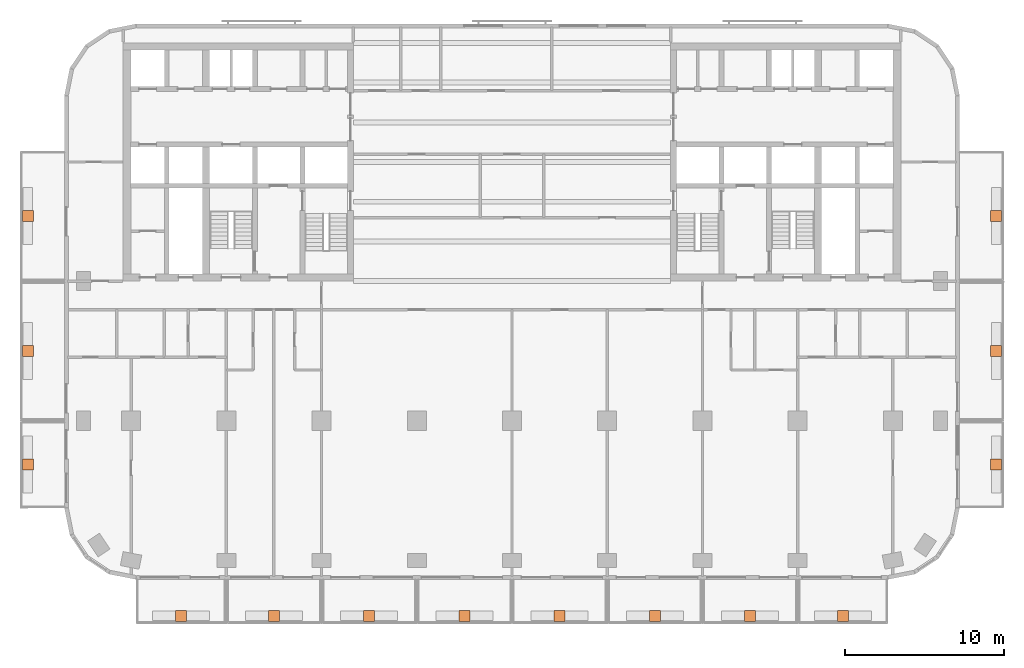
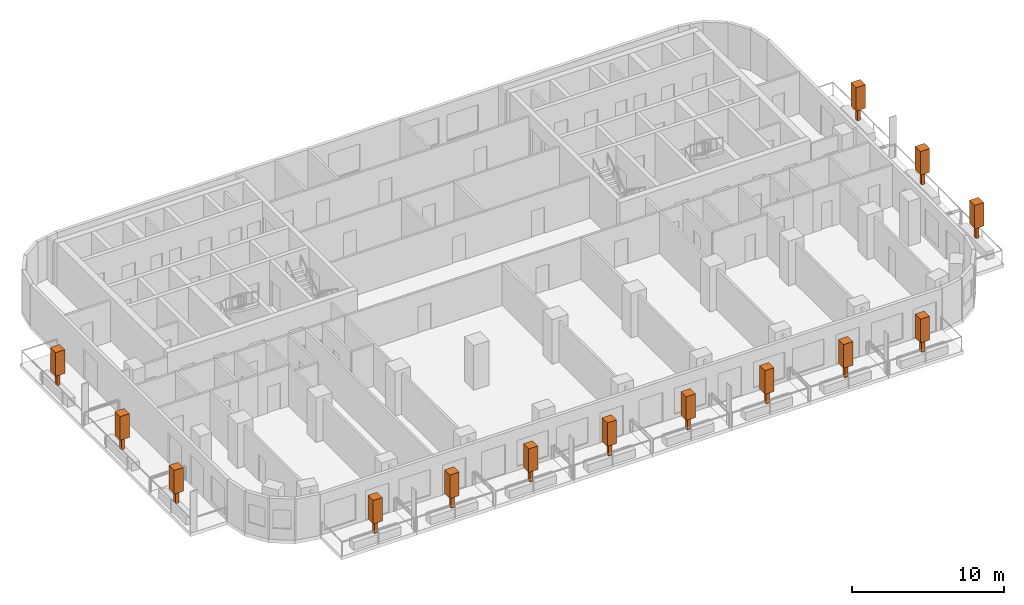
# One storey, part 11 of 11: 14 geographic elements.
"""IFC4 building model written with IfcOpenShell, lengths in metres."""

from ifc_helpers import new_model, si_unit, direction, frame, origin, origin_2d, place, context, subcontext, project, spatial, rectangle, extrude, material, element, save


model = new_model("IFC4")

# Units and contexts
model_context = context("Model", 3, precision=1e-05, world=origin(), true_north=direction((0.0, 1.0)))
body_context = subcontext(model_context, "Body", "Model", "MODEL_VIEW")
ifc_project = project(units=[si_unit("LENGTHUNIT", "METRE"), si_unit("AREAUNIT", "SQUARE_METRE"), si_unit("VOLUMEUNIT", "CUBIC_METRE"), si_unit("PLANEANGLEUNIT", "RADIAN"), si_unit("MASSUNIT", "GRAM", prefix="KILO")], contexts=[model_context])

# Site, building, storey
site_placement = place(None, origin())
site = spatial("IfcSite", under=ifc_project, at=site_placement, CompositionType="ELEMENT")
building_placement = place(site_placement, origin())
building = spatial("IfcBuilding", under=site, at=building_placement, Name="Torana Hotel and Residences", CompositionType="ELEMENT")
storey_placement = place(building_placement, frame((0.0, 0.0, 116.39990234375)))
storey = spatial("IfcBuildingStorey", under=building, at=storey_placement, Name="L29", CompositionType="ELEMENT", Elevation=116.39990234375)

# Geographic elements
ifc_material = material(Name="Foliage", Category="planting")
for number, where, z_axis, x_axis, name in (
    (1, (-20.85009765625, -36.10009765625, 0.650146484375), (0.0, 0.0, 1.0), (1.0, 0.0, 0.0), "Tree 01"),
    (2, (-15.0, -36.10009765625, 0.650146484375), (0.0, 0.0, 1.0), (1.0, 0.0, 0.0), "Tree 02"),
    (3, (-9.0, -36.10009765625, 0.650146484375), (0.0, 0.0, 1.0), (1.0, 0.0, 0.0), "Tree 03"),
    (4, (-3.0, -36.10009765625, 0.650146484375), (0.0, 0.0, 1.0), (1.0, 0.0, 0.0), "Tree 04"),
    (5, (3.0, -36.10009765625, 0.650146484375), (0.0, 0.0, 1.0), (1.0, 0.0, 0.0), "Tree 05"),
    (6, (9.0, -36.10009765625, 0.650146484375), (0.0, 0.0, 1.0), (1.0, 0.0, 0.0), "Tree 06"),
    (7, (15.0, -36.10009765625, 0.650146484375), (0.0, 0.0, 1.0), (1.0, 0.0, 0.0), "Tree 07"),
    (8, (20.85009765625, -36.10009765625, 0.650146484375), (0.0, 0.0, 1.0), (1.0, 0.0, 0.0), "Tree 08"),
    (9, (-30.5, -26.550048828125, 0.650146484375), (0.0, 0.0, 1.0), (1.0, 0.0, 0.0), "Tree 09"),
    (10, (-30.5, -19.39990234375, 0.650146484375), (0.0, 0.0, 1.0), (1.0, 0.0, 0.0), "Tree 10"),
    (11, (-30.5, -10.89990234375, 0.650146484375), (0.0, 0.0, 1.0), (1.0, 0.0, 0.0), "Tree 11"),
    (12, (30.5, -26.550048828125, 0.650146484375), (0.0, 0.0, 1.0), (1.0, 0.0, 0.0), "Tree 12"),
    (13, (30.5, -19.39990234375, 0.650146484375), (0.0, 0.0, 1.0), (1.0, 0.0, 0.0), "Tree 13"),
    (14, (30.5, -10.89990234375, 0.650146484375), (0.0, 0.0, 1.0), (1.0, 0.0, 0.0), "Tree 14"),
):
    element("IfcGeographicElement", number, at=place(storey_placement, frame(where, z_axis=z_axis, x_axis=x_axis)), inside=storey, material=ifc_material, Name=name, ObjectType="TREE", PredefinedType="USERDEFINED", context=body_context, shape_type="SweptSolid", body=[
        extrude(rectangle(XDim=0.25, YDim=0.25, at=origin_2d()), origin(), (0.0, 0.0, 1.0), 1.0),
        extrude(rectangle(XDim=0.699951171875, YDim=0.699951171875, at=origin_2d()), frame((0.0, 0.0, 1.0)), (0.0, 0.0, 1.0), 1.89990234375),
    ])

save(model, "model.ifc")
